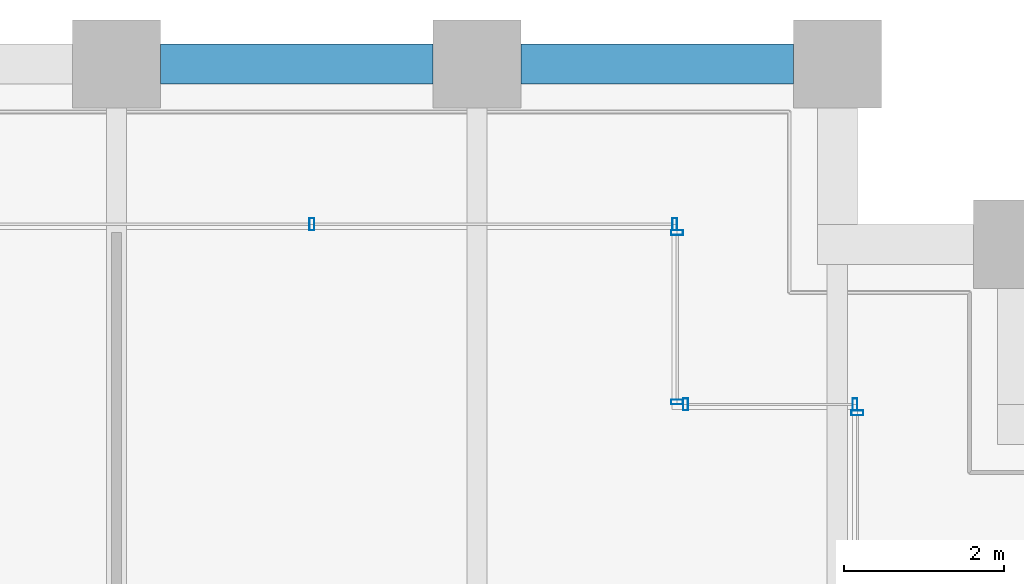
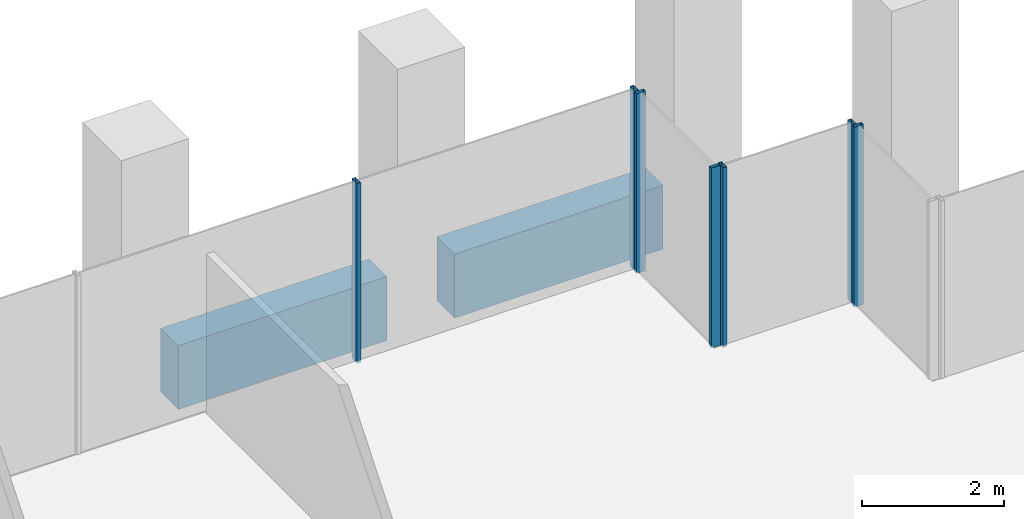
# One storey, part 32 of 56: 7 members, 2 beams, 4 elements without a shape of their own.
"""IFC4 building model written with IfcOpenShell, lengths in metres."""

import ifcopenshell
import ifcopenshell.guid

model = None  # the IFC model being written
_history = None  # IfcOwnerHistory: only IFC2X3 demands one
_inside = {}  # id of a spatial element -> (the spatial element, [elements in it])
_under = {}  # id of a project, library or spatial element -> (it, [spatial elements below it])
_declared = {}  # id of a project -> (the project, [libraries it declares])
_typed = {}  # id of a type object -> (the type object, [elements of that type])
_made_of = {}  # id of a material, layer set ... -> (it, [elements and type objects made of it])


def new_model(schema):
    """Start an empty IFC model of exactly this schema.

    Asked for "IFC4X3", IfcOpenShell would pick the latest addendum, in which some entities
    have other attributes; the version numbers below select the first issue.
    IFC2X3 requires an IfcOwnerHistory on every rooted entity: one is made here for all.
    """
    global model, _history
    if schema == "IFC4X3":
        model = ifcopenshell.file(schema_version=(4, 3, 0, 0))
    else:
        model = ifcopenshell.file(schema=schema)
    _inside.clear()
    _under.clear()
    _declared.clear()
    _typed.clear()
    _made_of.clear()
    _history = None
    if model.schema == "IFC2X3":
        org = make("IfcOrganization", Name="unknown")
        user = make(
            "IfcPersonAndOrganization",
            ThePerson=make("IfcPerson", FamilyName="unknown"),
            TheOrganization=org,
        )
        app = make(
            "IfcApplication",
            ApplicationDeveloper=org,
            Version="unknown",
            ApplicationFullName="unknown",
            ApplicationIdentifier="unknown",
        )
        _history = make(
            "IfcOwnerHistory",
            OwningUser=user,
            OwningApplication=app,
            ChangeAction="ADDED",
            CreationDate=0,
        )
    return model


def make(cls, **values):
    """One entity of the class cls with the attributes given. An attribute that is None is left unset."""
    return model.create_entity(
        cls, **{name: value for name, value in values.items() if value is not None}
    )


def rooted(cls, **values):
    """An entity with a GlobalId (a new one), such as an element, a storey or a relation."""
    return make(cls, GlobalId=ifcopenshell.guid.new(), OwnerHistory=_history, **values)


def si_unit(unit_type, name, prefix=None):
    """IfcSIUnit, for example si_unit("LENGTHUNIT", "METRE", prefix="MILLI")."""
    return make("IfcSIUnit", UnitType=unit_type, Prefix=prefix, Name=name)


def assignment(units):
    """IfcUnitAssignment: the units of a project."""
    return None if units is None else make("IfcUnitAssignment", Units=units)


def point(xyz):
    """IfcCartesianPoint."""
    return None if xyz is None else make("IfcCartesianPoint", Coordinates=xyz)


def direction(xyz):
    """IfcDirection."""
    return None if xyz is None else make("IfcDirection", DirectionRatios=xyz)


def frame(location, z_axis=None, x_axis=None):
    """IfcAxis2Placement3D, a coordinate frame: its origin and axes. An axis left out is left unset."""
    return make(
        "IfcAxis2Placement3D",
        Location=point(location),
        Axis=direction(z_axis),
        RefDirection=direction(x_axis),
    )


def frame_2d(location, x_axis=None):
    """IfcAxis2Placement2D, a coordinate frame in the plane: its origin and x axis."""
    return make(
        "IfcAxis2Placement2D", Location=point(location), RefDirection=direction(x_axis)
    )


def origin():
    """The frame at (0, 0, 0) with its axes left unset."""
    return frame((0.0, 0.0, 0.0))


def origin_2d():
    """The frame at (0, 0) in the plane with its x axis left unset."""
    return frame_2d((0.0, 0.0))


def place(relative_to, where):
    """IfcLocalPlacement: puts the frame where relative to a parent placement (None: the world)."""
    return make(
        "IfcLocalPlacement", PlacementRelTo=relative_to, RelativePlacement=where
    )


def context(
    kind, dimensions, precision=None, world=None, true_north=None, identifier=None
):
    """IfcGeometricRepresentationContext, for example the 3D "Model" context."""
    return make(
        "IfcGeometricRepresentationContext",
        ContextIdentifier=identifier,
        ContextType=kind,
        CoordinateSpaceDimension=dimensions,
        Precision=precision,
        WorldCoordinateSystem=world,
        TrueNorth=true_north,
    )


def subcontext(parent, identifier, kind, view, scale=None):
    """IfcGeometricRepresentationSubContext, for example "Body" below "Model"."""
    return make(
        "IfcGeometricRepresentationSubContext",
        ContextIdentifier=identifier,
        ContextType=kind,
        ParentContext=parent,
        TargetScale=scale,
        TargetView=view,
    )


def project(units=None, contexts=None):
    """IfcProject with its units and contexts."""
    return rooted(
        "IfcProject",
        Name="project",
        RepresentationContexts=contexts,
        UnitsInContext=assignment(units),
    )


def spatial(cls, under=None, at=None, **own):
    """A site, building, storey or space (cls), placed at a placement, below another one or the project."""
    s = rooted(cls, ObjectPlacement=at, **own)
    if under is not None:
        _under.setdefault(under.id(), (under, []))[1].append(s)
    return s


def profile(cls, at=None, kind="AREA", **sizes):
    """A parametric profile (cls). Its sizes go by their IFC names, for example OverallWidth=200.0."""
    return make(cls, ProfileType=kind, Position=at, **sizes)


def rectangle(**sizes):
    """IfcRectangleProfileDef."""
    return profile("IfcRectangleProfileDef", **sizes)


def hollow_rectangle(**sizes):
    """IfcRectangleHollowProfileDef."""
    return profile("IfcRectangleHollowProfileDef", **sizes)


def extrude(swept, where, along, depth):
    """IfcExtrudedAreaSolid: the profile swept, set in the frame where, extruded along a direction by depth."""
    return make(
        "IfcExtrudedAreaSolid",
        SweptArea=swept,
        Position=where,
        ExtrudedDirection=direction(along),
        Depth=depth,
    )


def shape(context_of_items, identifier, shape_type, items):
    """IfcShapeRepresentation: the items that make up one representation, for example the "Body"."""
    return make(
        "IfcShapeRepresentation",
        ContextOfItems=context_of_items,
        RepresentationIdentifier=identifier,
        RepresentationType=shape_type,
        Items=items,
    )


def material(Name=None, Category=None):
    """IfcMaterial."""
    return make("IfcMaterial", Name=Name, Category=Category)


def material_profile(
    of_material, cross_section, Name=None, Category=None, Priority=None
):
    """IfcMaterialProfile: a cross section and its material."""
    return make(
        "IfcMaterialProfile",
        Name=Name,
        Material=of_material,
        Profile=cross_section,
        Priority=Priority,
        Category=Category,
    )


def profile_set(profiles, Name=None, composite=None):
    """IfcMaterialProfileSet."""
    return make(
        "IfcMaterialProfileSet",
        Name=Name,
        MaterialProfiles=profiles,
        CompositeProfile=composite,
    )


def made_of(thing, what):
    """Note that an element or type object is made of a material, layer set ...; save() writes the relation."""
    if what is not None:
        _made_of.setdefault(what.id(), (what, []))[1].append(thing)
    return thing


def type_object(cls, material=None, **own):
    """A type object (cls), such as IfcWallType, which elements share."""
    return made_of(rooted(cls, **own), material)


def element(
    cls,
    number,
    at=None,
    inside=None,
    cuts=None,
    type_object=None,
    material=None,
    context=None,
    identifier="Body",
    shape_type=None,
    held_by="IfcProductDefinitionShape",
    body=None,
    shapes=None,
    **own,
):
    """One element of the class cls, such as IfcWall. Its Tag is "e" and its number.

    at: its placement. inside: the storey or other place that contains it. cuts: it is an
    opening in that element (IfcRelVoidsElement). A single representation is given by context,
    identifier, shape_type and body (its items); several are given by shapes. held_by: the class
    of the entity that holds the representations. save() writes the other relations.
    """
    e = rooted(cls, Tag="e%d" % number, ObjectPlacement=at, **own)
    if body is not None:
        shapes = [shape(context, identifier, shape_type, body)]
    if shapes is not None:
        e.Representation = make(held_by, Representations=shapes)
    if inside is not None:
        _inside.setdefault(inside.id(), (inside, []))[1].append(e)
    if cuts is not None:
        rooted(
            "IfcRelVoidsElement", RelatingBuildingElement=cuts, RelatedOpeningElement=e
        )
    if type_object is not None:
        _typed.setdefault(type_object.id(), (type_object, []))[1].append(e)
    return made_of(e, material)


def aggregate(whole, parts):
    """IfcRelAggregates: a whole, such as a stair, and the parts it consists of."""
    return rooted("IfcRelAggregates", RelatingObject=whole, RelatedObjects=parts)


def save(model, path):
    """Write the relations noted so far, then the file.

    IfcRelAggregates (storeys below a building ...), IfcRelContainedInSpatialStructure (elements
    in a storey), IfcRelDefinesByType, IfcRelAssociatesMaterial and IfcRelDeclares: one each for
    every whole, place, type object, material and project.
    """
    for whole, parts in _under.values():
        aggregate(whole, parts)
    for where, things in _inside.values():
        rooted(
            "IfcRelContainedInSpatialStructure",
            RelatedElements=things,
            RelatingStructure=where,
        )
    for kind, things in _typed.values():
        rooted("IfcRelDefinesByType", RelatedObjects=things, RelatingType=kind)
    for what, things in _made_of.values():
        rooted("IfcRelAssociatesMaterial", RelatedObjects=things, RelatingMaterial=what)
    for by, libraries in _declared.values():
        rooted("IfcRelDeclares", RelatingContext=by, RelatedDefinitions=libraries)
    model.write(path)


model = new_model("IFC4")

# Units and contexts
model_context = context("Model", 3, precision=1e-05, world=origin(), true_north=direction((0.0, 1.0)))
body_context = subcontext(model_context, "Body", "Model", "MODEL_VIEW")
ifc_project = project(units=[si_unit("LENGTHUNIT", "METRE"), si_unit("AREAUNIT", "SQUARE_METRE"), si_unit("VOLUMEUNIT", "CUBIC_METRE"), si_unit("PLANEANGLEUNIT", "RADIAN"), si_unit("MASSUNIT", "GRAM", prefix="KILO")], contexts=[model_context])

# Site, building, storey
site_placement = place(None, origin())
site = spatial("IfcSite", under=ifc_project, at=site_placement, CompositionType="ELEMENT")
building_placement = place(site_placement, origin())
building = spatial("IfcBuilding", under=site, at=building_placement, Name="Altepetl Exchange Towers", CompositionType="ELEMENT")
storey_placement = place(building_placement, frame((0.0, 0.0, 72.60009765625)))
storey = spatial("IfcBuildingStorey", under=building, at=storey_placement, Name="L17", CompositionType="ELEMENT", Elevation=72.60009765625)

# Curtain wall, member
ifc_material_1 = material(Name="Aluminium 6063-T6 glazing", Category="aluminium")
curtain_wall_type = type_object("IfcCurtainWallType", Name="Loggia glazing system", PredefinedType="NOTDEFINED", material=ifc_material_1)
curtain_wall_1_placement = place(storey_placement, origin())
curtain_wall_1 = element("IfcCurtainWall", 1, at=curtain_wall_1_placement, inside=storey, type_object=curtain_wall_type, Name="CW1 run", PredefinedType="NOTDEFINED")
ifc_material_2 = material(Name="Aluminium 6063-T6", Category="aluminium")
ifc_material_profile_1 = material_profile(ifc_material_2, hollow_rectangle(XDim=0.06005859375, YDim=0.14990234375, WallThickness=0.0029296875, at=origin_2d()), Name="Mullion 60x150 aluminium")
ifc_profile_set_1 = profile_set([ifc_material_profile_1], Name="Aluminium 6063-T6")
member_type = type_object("IfcMemberType", Name="Mullion 60x150 aluminium", PredefinedType="MULLION", material=ifc_profile_set_1)
member_1_placement = place(storey_placement, frame((67.75, 67.64501953125, 0.0), z_axis=(0.0, 0.0, 1.0), x_axis=(0.0, 1.0, 0.0)))
member_1 = element("IfcMember", 2, at=member_1_placement, type_object=member_type, Name="MU1 mullion", PredefinedType="MULLION", context=body_context, shape_type="SweptSolid", body=[
    extrude(hollow_rectangle(XDim=0.06005859375, YDim=0.14990234375, WallThickness=0.0029296875, at=origin_2d()), origin(), (0.0, 0.0, 1.0), 3.099853515625),
])
aggregate(curtain_wall_1, [member_1])

# Curtain wall, members
curtain_wall_2_placement = place(storey_placement, origin())
curtain_wall_2 = element("IfcCurtainWall", 3, at=curtain_wall_2_placement, inside=storey, type_object=curtain_wall_type, Name="CW1 run", PredefinedType="NOTDEFINED")
member_2_placement = place(storey_placement, frame((67.719970703125, 67.75, 0.0), z_axis=(0.0, 0.0, 1.0), x_axis=(-1.0, 0.0, 0.0)))
member_2 = element("IfcMember", 4, at=member_2_placement, type_object=member_type, Name="MU1 mullion", PredefinedType="MULLION", context=body_context, shape_type="SweptSolid", body=[
    extrude(hollow_rectangle(XDim=0.06005859375, YDim=0.14990234375, WallThickness=0.0029296875, at=origin_2d()), origin(), (0.0, 0.0, 1.0), 3.099853515625),
])
member_3_placement = place(storey_placement, frame((65.60498046875, 67.75, 0.0), z_axis=(0.0, 0.0, 1.0), x_axis=(-1.0, 0.0, 0.0)))
member_3 = element("IfcMember", 5, at=member_3_placement, type_object=member_type, Name="MU1 mullion", PredefinedType="MULLION", context=body_context, shape_type="SweptSolid", body=[
    extrude(hollow_rectangle(XDim=0.06005859375, YDim=0.14990234375, WallThickness=0.0029296875, at=origin_2d()), origin(), (0.0, 0.0, 1.0), 3.099853515625),
])
aggregate(curtain_wall_2, [member_2, member_3])

curtain_wall_3_placement = place(storey_placement, origin())
curtain_wall_3 = element("IfcCurtainWall", 6, at=curtain_wall_3_placement, inside=storey, type_object=curtain_wall_type, Name="CW1 run", PredefinedType="NOTDEFINED")
member_4_placement = place(storey_placement, frame((65.5, 67.780029296875, 0.0), z_axis=(0.0, 0.0, 1.0), x_axis=(0.0, 1.0, 0.0)))
member_4 = element("IfcMember", 7, at=member_4_placement, type_object=member_type, Name="MU1 mullion", PredefinedType="MULLION", context=body_context, shape_type="SweptSolid", body=[
    extrude(hollow_rectangle(XDim=0.06005859375, YDim=0.14990234375, WallThickness=0.0029296875, at=origin_2d()), origin(), (0.0, 0.0, 1.0), 3.099853515625),
])
member_5_placement = place(storey_placement, frame((65.5, 69.89501953125, 0.0), z_axis=(0.0, 0.0, 1.0), x_axis=(0.0, 1.0, 0.0)))
member_5 = element("IfcMember", 8, at=member_5_placement, type_object=member_type, Name="MU1 mullion", PredefinedType="MULLION", context=body_context, shape_type="SweptSolid", body=[
    extrude(hollow_rectangle(XDim=0.06005859375, YDim=0.14990234375, WallThickness=0.0029296875, at=origin_2d()), origin(), (0.0, 0.0, 1.0), 3.099853515625),
])
aggregate(curtain_wall_3, [member_4, member_5])

curtain_wall_4_placement = place(storey_placement, origin())
curtain_wall_4 = element("IfcCurtainWall", 9, at=curtain_wall_4_placement, inside=storey, type_object=curtain_wall_type, Name="CW1 run", PredefinedType="NOTDEFINED")
member_6_placement = place(storey_placement, frame((65.469970703125, 70.0, 0.0), z_axis=(0.0, 0.0, 1.0), x_axis=(-1.0, 0.0, 0.0)))
member_6 = element("IfcMember", 10, at=member_6_placement, type_object=member_type, Name="MU1 mullion", PredefinedType="MULLION", context=body_context, shape_type="SweptSolid", body=[
    extrude(hollow_rectangle(XDim=0.06005859375, YDim=0.14990234375, WallThickness=0.0029296875, at=origin_2d()), origin(), (0.0, 0.0, 1.0), 3.099853515625),
])
member_7_placement = place(storey_placement, frame((60.939208984375, 70.0, 0.0), z_axis=(0.0, 0.0, 1.0), x_axis=(-1.0, 0.0, 0.0)))
member_7 = element("IfcMember", 11, at=member_7_placement, type_object=member_type, Name="MU1 mullion", PredefinedType="MULLION", context=body_context, shape_type="SweptSolid", body=[
    extrude(hollow_rectangle(XDim=0.06005859375, YDim=0.14990234375, WallThickness=0.0029296875, at=origin_2d()), origin(), (0.0, 0.0, 1.0), 3.099853515625),
])
aggregate(curtain_wall_4, [member_6, member_7])

# Beams
ifc_material_3 = material(Name="Concrete C50/60 precast with cantera rosa facing", Category="concrete")
ifc_material_profile_2 = material_profile(ifc_material_3, rectangle(XDim=0.5, YDim=1.10009765625, at=origin_2d()), Name="500 x 1100")
ifc_profile_set_2 = profile_set([ifc_material_profile_2], Name="Concrete C50/60 precast with cantera rosa facing")
beam_type = type_object("IfcBeamType", Name="Spandrel beam 500x1100 cantera rosa", PredefinedType="SPANDREL", material=ifc_profile_set_2)
for number, where, z_axis, x_axis, name in (
    (12, (66.949951171875, 72.0, -0.7001953125), (-1.0, 0.0, 0.0), (0.0, -1.0, 0.0), "sp:A:L17:024"),
    (13, (62.449951171875, 72.0, -0.7001953125), (-1.0, 0.0, 0.0), (0.0, -1.0, 0.0), "sp:A:L17:025"),
):
    element("IfcBeam", number, at=place(storey_placement, frame(where, z_axis=z_axis, x_axis=x_axis)), inside=storey, type_object=beam_type, Name=name, PredefinedType="SPANDREL", context=body_context, shape_type="SweptSolid", body=[
        extrude(rectangle(XDim=0.5, YDim=1.10009765625, at=origin_2d()), origin(), (0.0, 0.0, 1.0), 3.39990234375),
    ])

save(model, "model.ifc")
